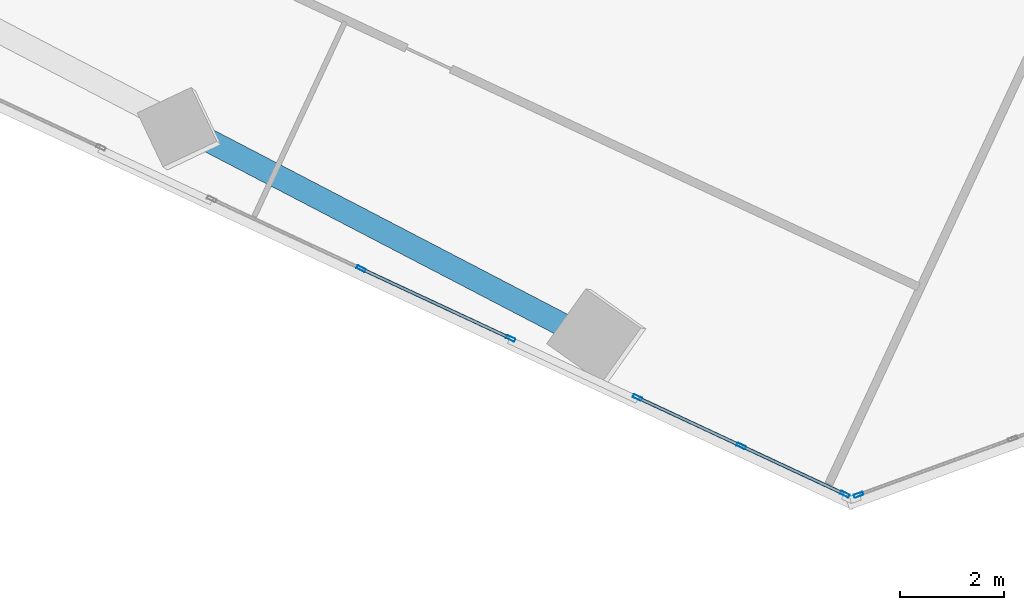
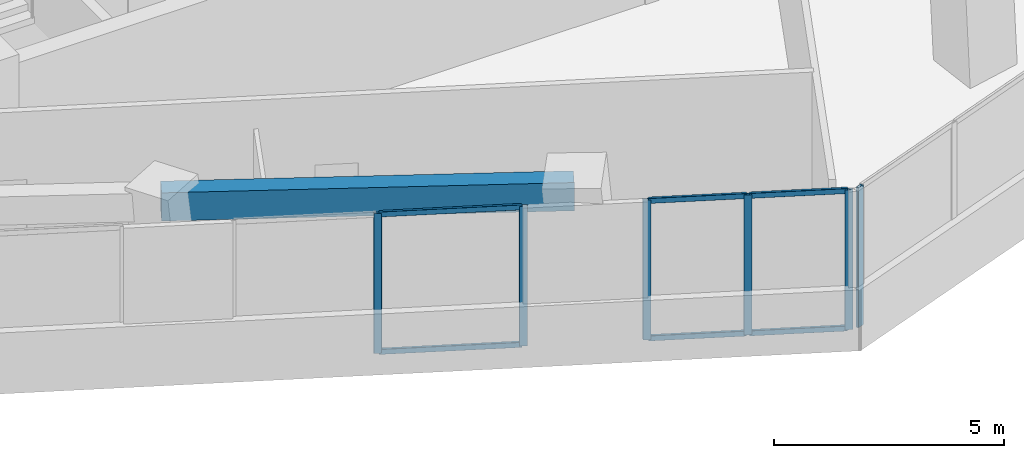
# One storey, part 4 of 21: 12 members, 1 beam, 3 elements without a shape of their own.
"""IFC4 building model written with IfcOpenShell, lengths in metres."""

from ifc_helpers import new_model, si_unit, direction, frame, origin, origin_2d, place, context, subcontext, project, spatial, rectangle, hollow_rectangle, extrude, source, transform, mapped, material, material_profile, profile_set, type_object, element, aggregate, save


model = new_model("IFC4")

# Units and contexts
model_context = context("Model", 3, precision=1e-05, world=origin(), true_north=direction((0.0, 1.0)))
body_context = subcontext(model_context, "Body", "Model", "MODEL_VIEW")
ifc_project = project(units=[si_unit("LENGTHUNIT", "METRE"), si_unit("AREAUNIT", "SQUARE_METRE"), si_unit("VOLUMEUNIT", "CUBIC_METRE"), si_unit("PLANEANGLEUNIT", "RADIAN"), si_unit("MASSUNIT", "GRAM", prefix="KILO")], contexts=[model_context])

# Site, building, storey
site_placement = place(None, origin())
site = spatial("IfcSite", under=ifc_project, at=site_placement, CompositionType="ELEMENT")
building_placement = place(site_placement, origin())
building = spatial("IfcBuilding", under=site, at=building_placement, Name="Torre Montelarca", CompositionType="ELEMENT")
storey_placement = place(building_placement, frame((0.0, 0.0, 162.39990234375)))
storey = spatial("IfcBuildingStorey", under=building, at=storey_placement, Name="L36", CompositionType="ELEMENT", Elevation=162.39990234375)

# Beam
ifc_material_1 = material(Name="Concrete C55/67", Category="concrete")
ifc_material_profile_1 = material_profile(ifc_material_1, rectangle(XDim=0.449951171875, YDim=0.75, at=origin_2d()), Name="RCB450X750", Category="concrete")
ifc_profile_set_1 = profile_set([ifc_material_profile_1], Name="Concrete C55/67")
beam_type = type_object("IfcBeamType", Name="BM-SP-RC750-EXT", PredefinedType="SPANDREL", material=ifc_profile_set_1)
shared_shape_1 = source(origin(), body_context, "Body", "SweptSolid", [
    extrude(rectangle(XDim=0.449951171875, YDim=0.75, at=origin_2d()), origin(), (0.0, 0.0, 1.0), 9.0),
])
beam_placement = place(storey_placement, frame((10.453369140625, 18.359619140625, 3.585205078125), z_axis=(0.887011077451, -0.461748143991, 0.0), x_axis=(0.461748143991, 0.887011077451, 0.0)))
element("IfcBeam", 1, at=beam_placement, inside=storey, type_object=beam_type, Name="L36 Grid Girder X 18.0-27.0 at Y=14.8", PredefinedType="SPANDREL", context=body_context, shape_type="MappedRepresentation", body=[
    mapped(shared_shape_1, transform((0.0, 0.0, 0.0), scale=1.0)),
])

# Curtain wall, members
ifc_material_2 = material(Name="Insulated low-E laminated glass", Category="glass")
curtain_wall_type = type_object("IfcCurtainWallType", Name="CW-SYS-Z2", PredefinedType="USERDEFINED", material=ifc_material_2)
curtain_wall_1_placement = place(storey_placement, origin())
curtain_wall_1 = element("IfcCurtainWall", 2, at=curtain_wall_1_placement, inside=storey, type_object=curtain_wall_type, Name="L36 Curtain Wall Run CW-T3-L36-E01-B2", ObjectType="UNITISED GLAZING", PredefinedType="USERDEFINED")
ifc_material_3 = material(Name="Anodised aluminium AA 6063-T6", Category="aluminium")
ifc_material_profile_2 = material_profile(ifc_material_3, hollow_rectangle(XDim=0.06494140625, YDim=0.179931640625, WallThickness=0.00390625, InnerFilletRadius=0.00390625, OuterFilletRadius=0.008056640625, at=origin_2d()), Name="ALU65X180X4", Category="aluminium")
ifc_profile_set_2 = profile_set([ifc_material_profile_2], Name="Anodised aluminium AA 6063-T6")
member_type_1 = type_object("IfcMemberType", Name="CWM-ALU180", PredefinedType="MULLION", material=ifc_profile_set_2)
shared_shape_2 = source(origin(), body_context, "Body", "SweptSolid", [
    extrude(hollow_rectangle(XDim=0.06494140625, YDim=0.179931640625, WallThickness=0.00390625, InnerFilletRadius=0.00390625, OuterFilletRadius=0.008056640625, at=origin_2d()), origin(), (0.0, 0.0, 1.0), 3.72021484375),
])
member_1_placement = place(storey_placement, frame((14.2236328125, 15.455078125, 0.0), z_axis=(0.0, 0.0, 1.0), x_axis=(0.422619974329, 0.906306988442, 0.0)))
member_1 = element("IfcMember", 3, at=member_1_placement, type_object=member_type_1, Name="CW mullion 2", PredefinedType="MULLION", context=body_context, shape_type="MappedRepresentation", body=[
    mapped(shared_shape_2, transform((0.0, 0.0, 0.0), scale=1.0)),
])
member_2_placement = place(storey_placement, frame((17.10986328125, 14.109130859375, 0.0), z_axis=(0.0, 0.0, 1.0), x_axis=(0.422619974329, 0.906306988442, 0.0)))
member_2 = element("IfcMember", 4, at=member_2_placement, type_object=member_type_1, Name="CW mullion 3", PredefinedType="MULLION", context=body_context, shape_type="MappedRepresentation", body=[
    mapped(shared_shape_2, transform((0.0, 0.0, 0.0), scale=1.0)),
])

curtain_wall_2_placement = place(storey_placement, origin())
curtain_wall_2 = element("IfcCurtainWall", 5, at=curtain_wall_2_placement, inside=storey, type_object=curtain_wall_type, Name="L36 Curtain Wall Run CW-T3-L36-E01-B3", ObjectType="UNITISED GLAZING", PredefinedType="USERDEFINED")
member_3_placement = place(storey_placement, frame((19.560302734375, 12.966552734375, 0.0), z_axis=(0.0, 0.0, 1.0), x_axis=(0.42260320378, 0.906314808527, 0.0)))
member_3 = element("IfcMember", 6, at=member_3_placement, type_object=member_type_1, Name="CW mullion 1", PredefinedType="MULLION", context=body_context, shape_type="MappedRepresentation", body=[
    mapped(shared_shape_2, transform((0.0, 0.0, 0.0), scale=1.0)),
])
member_4_placement = place(storey_placement, frame((21.561279296875, 12.033447265625, 0.0), z_axis=(0.0, 0.0, 1.0), x_axis=(0.42260320378, 0.906314808527, 0.0)))
member_4 = element("IfcMember", 7, at=member_4_placement, type_object=member_type_1, Name="CW mullion 2", PredefinedType="MULLION", context=body_context, shape_type="MappedRepresentation", body=[
    mapped(shared_shape_2, transform((0.0, 0.0, 0.0), scale=1.0)),
])
member_5_placement = place(storey_placement, frame((23.562255859375, 11.100341796875, 0.0), z_axis=(0.0, 0.0, 1.0), x_axis=(0.42260320378, 0.906314808527, 0.0)))
member_5 = element("IfcMember", 8, at=member_5_placement, type_object=member_type_1, Name="CW mullion 3", PredefinedType="MULLION", context=body_context, shape_type="MappedRepresentation", body=[
    mapped(shared_shape_2, transform((0.0, 0.0, 0.0), scale=1.0)),
])

# Curtain wall, member
curtain_wall_3_placement = place(storey_placement, origin())
curtain_wall_3 = element("IfcCurtainWall", 9, at=curtain_wall_3_placement, inside=storey, type_object=curtain_wall_type, Name="L36 Curtain Wall Run CW-T3-L36-E02-B1", ObjectType="UNITISED GLAZING", PredefinedType="USERDEFINED")
member_6_placement = place(storey_placement, frame((23.8291015625, 11.088623046875, 0.0), z_axis=(0.0, 0.0, 1.0), x_axis=(-0.342017799316, 0.939693473932, 0.0)))
member_6 = element("IfcMember", 10, at=member_6_placement, type_object=member_type_1, Name="CW mullion 1", PredefinedType="MULLION", context=body_context, shape_type="MappedRepresentation", body=[
    mapped(shared_shape_2, transform((0.0, 0.0, 0.0), scale=1.0)),
])
aggregate(curtain_wall_3, [member_6])

# Member
ifc_material_profile_3 = material_profile(ifc_material_3, hollow_rectangle(XDim=0.06494140625, YDim=0.139892578125, WallThickness=0.00390625, InnerFilletRadius=0.00390625, OuterFilletRadius=0.008056640625, at=origin_2d()), Name="ALU65X140X4", Category="aluminium")
ifc_profile_set_3 = profile_set([ifc_material_profile_3], Name="Anodised aluminium AA 6063-T6")
member_type_2 = type_object("IfcMemberType", Name="CWT-ALU140", PredefinedType="USERDEFINED", material=ifc_profile_set_3)
shared_shape_3 = source(origin(), body_context, "Body", "SweptSolid", [
    extrude(hollow_rectangle(XDim=0.06494140625, YDim=0.139892578125, WallThickness=0.00390625, InnerFilletRadius=0.00390625, OuterFilletRadius=0.008056640625, at=origin_2d()), origin(), (0.0, 0.0, 1.0), 3.119384765625),
])
member_7_placement = place(storey_placement, frame((14.253173828125, 15.44140625, 0.03271484375), z_axis=(0.906303071034, -0.422628375094, 0.0), x_axis=(0.422628375094, 0.906303071034, 0.0)))
member_7 = element("IfcMember", 11, at=member_7_placement, type_object=member_type_2, Name="CW transom 2.1", ObjectType="TRANSOM", PredefinedType="USERDEFINED", context=body_context, shape_type="MappedRepresentation", body=[
    mapped(shared_shape_3, transform((0.0, 0.0, 0.0), scale=1.0)),
])

member_8_placement = place(storey_placement, frame((14.253173828125, 15.44140625, 3.6875), z_axis=(0.906303071034, -0.422628375094, 0.0), x_axis=(0.422628375094, 0.906303071034, 0.0)))
member_8 = element("IfcMember", 12, at=member_8_placement, type_object=member_type_2, Name="CW transom 2.2", ObjectType="TRANSOM", PredefinedType="USERDEFINED", context=body_context, shape_type="MappedRepresentation", body=[
    mapped(shared_shape_3, transform((0.0, 0.0, 0.0), scale=1.0)),
])

aggregate(curtain_wall_1, [member_1, member_2, member_7, member_8])

shared_shape_4 = source(origin(), body_context, "Body", "SweptSolid", [
    extrude(hollow_rectangle(XDim=0.06494140625, YDim=0.139892578125, WallThickness=0.00390625, InnerFilletRadius=0.00390625, OuterFilletRadius=0.008056640625, at=origin_2d()), origin(), (0.0, 0.0, 1.0), 2.142578125),
])
member_9_placement = place(storey_placement, frame((19.58984375, 12.95263671875, 0.03271484375), z_axis=(0.906308272039, -0.422617221649, 0.0), x_axis=(0.422617221649, 0.906308272039, 0.0)))
member_9 = element("IfcMember", 13, at=member_9_placement, type_object=member_type_2, Name="CW transom 1.1", ObjectType="TRANSOM", PredefinedType="USERDEFINED", context=body_context, shape_type="MappedRepresentation", body=[
    mapped(shared_shape_4, transform((0.0, 0.0, 0.0), scale=1.0)),
])

member_10_placement = place(storey_placement, frame((19.58984375, 12.95263671875, 3.6875), z_axis=(0.906308272039, -0.422617221649, 0.0), x_axis=(0.422617221649, 0.906308272039, 0.0)))
member_10 = element("IfcMember", 14, at=member_10_placement, type_object=member_type_2, Name="CW transom 1.2", ObjectType="TRANSOM", PredefinedType="USERDEFINED", context=body_context, shape_type="MappedRepresentation", body=[
    mapped(shared_shape_4, transform((0.0, 0.0, 0.0), scale=1.0)),
])

member_11_placement = place(storey_placement, frame((21.5908203125, 12.019775390625, 0.03271484375), z_axis=(0.906308272039, -0.422617221649, 0.0), x_axis=(0.422617221649, 0.906308272039, 0.0)))
member_11 = element("IfcMember", 15, at=member_11_placement, type_object=member_type_2, Name="CW transom 2.1", ObjectType="TRANSOM", PredefinedType="USERDEFINED", context=body_context, shape_type="MappedRepresentation", body=[
    mapped(shared_shape_4, transform((0.0, 0.0, 0.0), scale=1.0)),
])

member_12_placement = place(storey_placement, frame((21.5908203125, 12.019775390625, 3.6875), z_axis=(0.906308272039, -0.422617221649, 0.0), x_axis=(0.422617221649, 0.906308272039, 0.0)))
member_12 = element("IfcMember", 16, at=member_12_placement, type_object=member_type_2, Name="CW transom 2.2", ObjectType="TRANSOM", PredefinedType="USERDEFINED", context=body_context, shape_type="MappedRepresentation", body=[
    mapped(shared_shape_4, transform((0.0, 0.0, 0.0), scale=1.0)),
])

aggregate(curtain_wall_2, [member_3, member_4, member_5, member_9, member_10, member_11, member_12])

save(model, "model.ifc")
